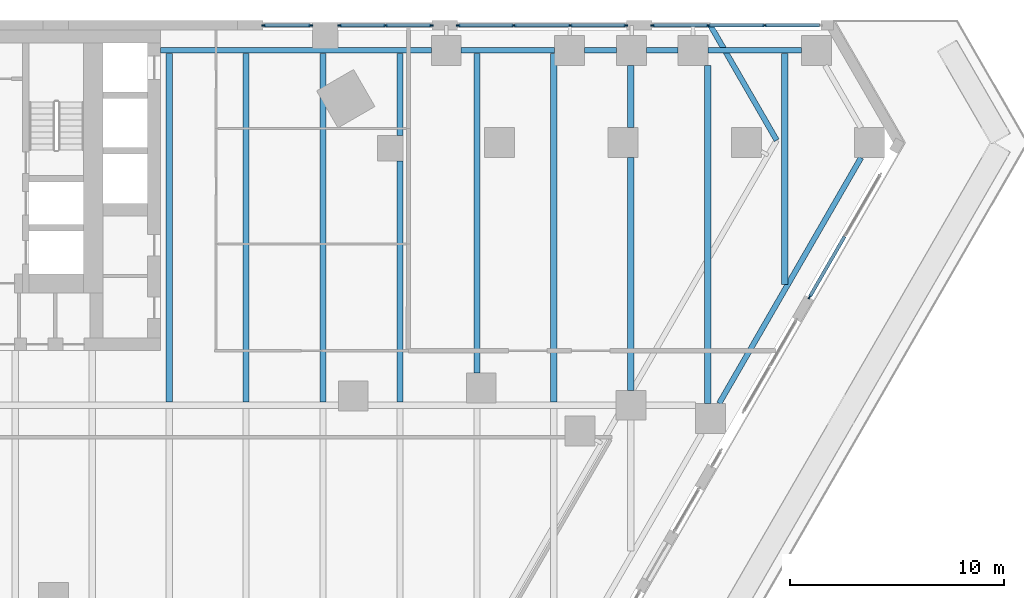
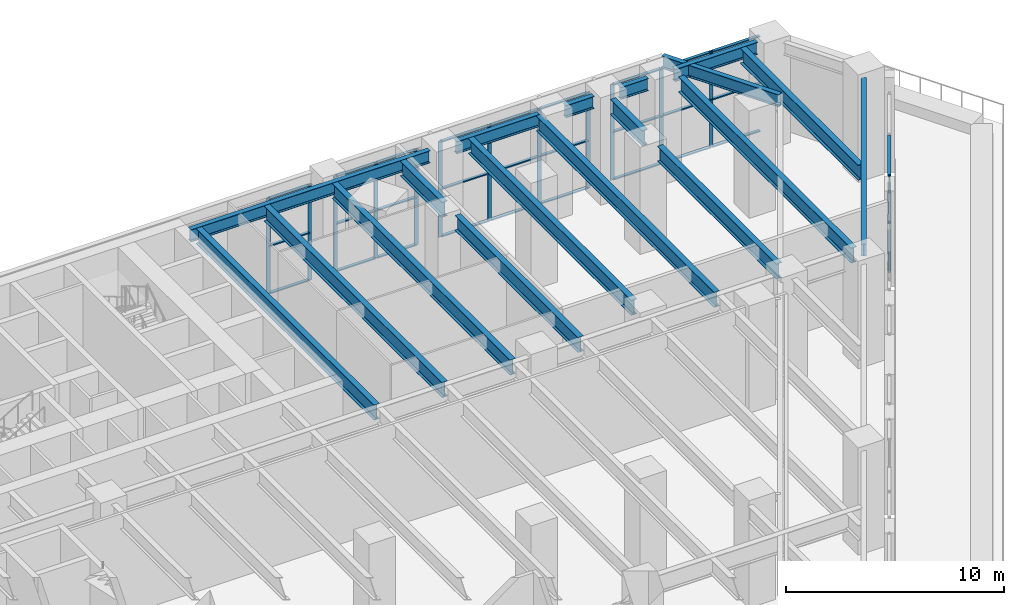
# One storey, part 17 of 40: 43 members, 18 beams, 5 elements without a shape of their own.
"""IFC4 building model written with IfcOpenShell, lengths in metres."""

from ifc_helpers import new_model, si_unit, direction, frame, origin, origin_2d, place, context, subcontext, project, spatial, rectangle, i_section, extrude, material, material_profile, profile_set, type_object, element, aggregate, save


model = new_model("IFC4")

# Units and contexts
model_context = context("Model", 3, precision=1e-05, world=origin(), true_north=direction((0.0, 1.0)))
body_context = subcontext(model_context, "Body", "Model", "MODEL_VIEW")
ifc_project = project(units=[si_unit("LENGTHUNIT", "METRE"), si_unit("AREAUNIT", "SQUARE_METRE"), si_unit("VOLUMEUNIT", "CUBIC_METRE"), si_unit("PLANEANGLEUNIT", "RADIAN"), si_unit("MASSUNIT", "GRAM", prefix="KILO")], contexts=[model_context])

# Site, building, storey
site_placement = place(None, origin())
site = spatial("IfcSite", under=ifc_project, at=site_placement, CompositionType="ELEMENT")
building_placement = place(site_placement, origin())
building = spatial("IfcBuilding", under=site, at=building_placement, Name="Aloe Facet Convention Tower", CompositionType="ELEMENT")
storey_placement = place(building_placement, frame((0.0, 0.0, 13.5)))
storey = spatial("IfcBuildingStorey", under=building, at=storey_placement, Name="L02", CompositionType="ELEMENT", Elevation=13.5)

# Beam
ifc_material_1 = material(Name="Steel S355", Category="steel")
ifc_material_profile_1 = material_profile(ifc_material_1, i_section(OverallWidth=0.25439453125, OverallDepth=0.6875, WebThickness=0.01318359375, FlangeThickness=0.02099609375, FilletRadius=0.01513671875, at=origin_2d()), Name="UB 686x254x152")
ifc_profile_set_1 = profile_set([ifc_material_profile_1], Name="Steel S355")
beam_type_1 = type_object("IfcBeamType", Name="EV-EB-UB686x254x152", PredefinedType="BEAM", material=ifc_profile_set_1)
beam_1_placement = place(storey_placement, frame((122.82568359375, 129.396728515625, 5.40625), z_axis=(-0.500016243463, 0.866016025414, 0.0), x_axis=(-0.866016025414, -0.500016243463, 0.0)))
element("IfcBeam", 1, at=beam_1_placement, inside=storey, type_object=beam_type_1, Name="EB-L03-C", PredefinedType="BEAM", context=body_context, shape_type="SweptSolid", body=[
    extrude(i_section(OverallWidth=0.25439453125, OverallDepth=0.6875, WebThickness=0.01318359375, FlangeThickness=0.02099609375, FilletRadius=0.01513671875, at=origin_2d()), origin(), (0.0, 0.0, 1.0), 6.210205078125),
])

# Curtain wall, members
ifc_material_2 = material(Name="Aluminium, anodised", Category="aluminium")
curtain_wall_type = type_object("IfcCurtainWallType", Name="EV-CW-HALL", PredefinedType="USERDEFINED", material=ifc_material_2)
curtain_wall_1_placement = place(storey_placement, origin())
curtain_wall_1 = element("IfcCurtainWall", 2, at=curtain_wall_1_placement, inside=storey, type_object=curtain_wall_type, Name="CW-L02-N02", ObjectType="UNITISED HALL GLAZING", PredefinedType="USERDEFINED")
ifc_material_3 = material(Name="Aluminium, anodised", Category="aluminium")
ifc_material_profile_2 = material_profile(ifc_material_3, rectangle(XDim=0.06494140625, YDim=0.199951171875, at=origin_2d()), Name="AL 65x200")
ifc_profile_set_2 = profile_set([ifc_material_profile_2], Name="Aluminium, anodised")
member_type_1 = type_object("IfcMemberType", Name="EV-MULL-HALL", PredefinedType="MULLION", material=ifc_profile_set_2)
member_1_placement = place(storey_placement, frame((122.260986328125, 134.77490234375, -0.300048828125), z_axis=(0.0, 0.0, 1.0), x_axis=(0.0, -1.0, 0.0)))
member_1 = element("IfcMember", 3, at=member_1_placement, type_object=member_type_1, Name="CW-L02-N02 mullion 2", PredefinedType="MULLION", context=body_context, shape_type="SweptSolid", body=[
    extrude(rectangle(XDim=0.06494140625, YDim=0.199951171875, at=origin_2d()), origin(), (0.0, 0.0, 1.0), 5.362548828125),
])
member_2_placement = place(storey_placement, frame((119.628173828125, 134.77490234375, -0.300048828125), z_axis=(0.0, 0.0, 1.0), x_axis=(0.0, -1.0, 0.0)))
member_2 = element("IfcMember", 4, at=member_2_placement, type_object=member_type_1, Name="CW-L02-N02 mullion 3", PredefinedType="MULLION", context=body_context, shape_type="SweptSolid", body=[
    extrude(rectangle(XDim=0.06494140625, YDim=0.199951171875, at=origin_2d()), origin(), (0.0, 0.0, 1.0), 5.362548828125),
])
member_3_placement = place(storey_placement, frame((117.027587890625, 134.77490234375, -0.300048828125), z_axis=(0.0, 0.0, 1.0), x_axis=(0.0, -1.0, 0.0)))
member_3 = element("IfcMember", 5, at=member_3_placement, type_object=member_type_1, Name="CW-L02-N02 mullion 4", PredefinedType="MULLION", context=body_context, shape_type="SweptSolid", body=[
    extrude(rectangle(XDim=0.06494140625, YDim=0.199951171875, at=origin_2d()), origin(), (0.0, 0.0, 1.0), 5.362548828125),
])

curtain_wall_2_placement = place(storey_placement, origin())
curtain_wall_2 = element("IfcCurtainWall", 6, at=curtain_wall_2_placement, inside=storey, type_object=curtain_wall_type, Name="CW-L02-N04", ObjectType="UNITISED HALL GLAZING", PredefinedType="USERDEFINED")
member_4_placement = place(storey_placement, frame((115.7626953125, 134.77490234375, -0.300048828125), z_axis=(0.0, 0.0, 1.0), x_axis=(0.0, -1.0, 0.0)))
member_4 = element("IfcMember", 7, at=member_4_placement, type_object=member_type_1, Name="CW-L02-N04 mullion 1", PredefinedType="MULLION", context=body_context, shape_type="SweptSolid", body=[
    extrude(rectangle(XDim=0.06494140625, YDim=0.199951171875, at=origin_2d()), origin(), (0.0, 0.0, 1.0), 5.362548828125),
])
member_5_placement = place(storey_placement, frame((113.162353515625, 134.77490234375, -0.300048828125), z_axis=(0.0, 0.0, 1.0), x_axis=(0.0, -1.0, 0.0)))
member_5 = element("IfcMember", 8, at=member_5_placement, type_object=member_type_1, Name="CW-L02-N04 mullion 2", PredefinedType="MULLION", context=body_context, shape_type="SweptSolid", body=[
    extrude(rectangle(XDim=0.06494140625, YDim=0.199951171875, at=origin_2d()), origin(), (0.0, 0.0, 1.0), 5.362548828125),
])
member_6_placement = place(storey_placement, frame((110.529296875, 134.77490234375, -0.300048828125), z_axis=(0.0, 0.0, 1.0), x_axis=(0.0, -1.0, 0.0)))
member_6 = element("IfcMember", 9, at=member_6_placement, type_object=member_type_1, Name="CW-L02-N04 mullion 3", PredefinedType="MULLION", context=body_context, shape_type="SweptSolid", body=[
    extrude(rectangle(XDim=0.06494140625, YDim=0.199951171875, at=origin_2d()), origin(), (0.0, 0.0, 1.0), 5.362548828125),
])
member_7_placement = place(storey_placement, frame((107.928955078125, 134.77490234375, -0.300048828125), z_axis=(0.0, 0.0, 1.0), x_axis=(0.0, -1.0, 0.0)))
member_7 = element("IfcMember", 10, at=member_7_placement, type_object=member_type_1, Name="CW-L02-N04 mullion 4", PredefinedType="MULLION", context=body_context, shape_type="SweptSolid", body=[
    extrude(rectangle(XDim=0.06494140625, YDim=0.199951171875, at=origin_2d()), origin(), (0.0, 0.0, 1.0), 5.362548828125),
])

curtain_wall_3_placement = place(storey_placement, origin())
curtain_wall_3 = element("IfcCurtainWall", 11, at=curtain_wall_3_placement, inside=storey, type_object=curtain_wall_type, Name="CW-L02-N06-1", ObjectType="UNITISED HALL GLAZING", PredefinedType="USERDEFINED")
member_8_placement = place(storey_placement, frame((106.663818359375, 134.77490234375, -0.300048828125), z_axis=(0.0, 0.0, 1.0), x_axis=(0.0, -1.0, 0.0)))
member_8 = element("IfcMember", 12, at=member_8_placement, type_object=member_type_1, Name="CW-L02-N06-1 mullion 1", PredefinedType="MULLION", context=body_context, shape_type="SweptSolid", body=[
    extrude(rectangle(XDim=0.06494140625, YDim=0.199951171875, at=origin_2d()), origin(), (0.0, 0.0, 1.0), 5.362548828125),
])
member_9_placement = place(storey_placement, frame((104.523193359375, 134.77490234375, -0.300048828125), z_axis=(0.0, 0.0, 1.0), x_axis=(0.0, -1.0, 0.0)))
member_9 = element("IfcMember", 13, at=member_9_placement, type_object=member_type_1, Name="CW-L02-N06-1 mullion 2", PredefinedType="MULLION", context=body_context, shape_type="SweptSolid", body=[
    extrude(rectangle(XDim=0.06494140625, YDim=0.199951171875, at=origin_2d()), origin(), (0.0, 0.0, 1.0), 5.362548828125),
])
member_10_placement = place(storey_placement, frame((102.382568359375, 134.77490234375, -0.300048828125), z_axis=(0.0, 0.0, 1.0), x_axis=(0.0, -1.0, 0.0)))
member_10 = element("IfcMember", 14, at=member_10_placement, type_object=member_type_1, Name="CW-L02-N06-1 mullion 3", PredefinedType="MULLION", context=body_context, shape_type="SweptSolid", body=[
    extrude(rectangle(XDim=0.06494140625, YDim=0.199951171875, at=origin_2d()), origin(), (0.0, 0.0, 1.0), 5.362548828125),
])

curtain_wall_4_placement = place(storey_placement, origin())
curtain_wall_4 = element("IfcCurtainWall", 15, at=curtain_wall_4_placement, inside=storey, type_object=curtain_wall_type, Name="CW-L02-N06-2", ObjectType="UNITISED HALL GLAZING", PredefinedType="USERDEFINED")
member_11_placement = place(storey_placement, frame((101.017578125, 134.77490234375, -0.300048828125), z_axis=(0.0, 0.0, 1.0), x_axis=(0.0, -1.0, 0.0)))
member_11 = element("IfcMember", 16, at=member_11_placement, type_object=member_type_1, Name="CW-L02-N06-2 mullion 1", PredefinedType="MULLION", context=body_context, shape_type="SweptSolid", body=[
    extrude(rectangle(XDim=0.06494140625, YDim=0.199951171875, at=origin_2d()), origin(), (0.0, 0.0, 1.0), 5.362548828125),
])
member_12_placement = place(storey_placement, frame((98.830078125, 134.77490234375, -0.300048828125), z_axis=(0.0, 0.0, 1.0), x_axis=(0.0, -1.0, 0.0)))
member_12 = element("IfcMember", 17, at=member_12_placement, type_object=member_type_1, Name="CW-L02-N06-2 mullion 2", PredefinedType="MULLION", context=body_context, shape_type="SweptSolid", body=[
    extrude(rectangle(XDim=0.06494140625, YDim=0.199951171875, at=origin_2d()), origin(), (0.0, 0.0, 1.0), 5.362548828125),
])

# Curtain wall, member
curtain_wall_5_placement = place(storey_placement, origin())
curtain_wall_5 = element("IfcCurtainWall", 18, at=curtain_wall_5_placement, inside=storey, type_object=curtain_wall_type, Name="CW-L02-E20", ObjectType="UNITISED HALL GLAZING", PredefinedType="USERDEFINED")
member_13_placement = place(storey_placement, frame((124.365966796875, 122.064697265625, -0.300048828125), z_axis=(0.0, 0.0, 1.0), x_axis=(-0.866025403828, 0.499999999924, 0.0)))
member_13 = element("IfcMember", 19, at=member_13_placement, type_object=member_type_1, Name="CW-L02-E20 mullion 1", PredefinedType="MULLION", context=body_context, shape_type="SweptSolid", body=[
    extrude(rectangle(XDim=0.06494140625, YDim=0.199951171875, at=origin_2d()), origin(), (0.0, 0.0, 1.0), 5.362548828125),
])

# Member
ifc_material_4 = material(Name="Aluminium, anodised", Category="aluminium")
ifc_material_profile_3 = material_profile(ifc_material_4, rectangle(XDim=0.159912109375, YDim=0.06494140625, at=origin_2d()), Name="AL 160x65")
ifc_profile_set_3 = profile_set([ifc_material_profile_3], Name="Aluminium, anodised")
member_type_2 = type_object("IfcMemberType", Name="EV-TRAN-HALL", PredefinedType="USERDEFINED", material=ifc_profile_set_3)
member_14_placement = place(storey_placement, frame((124.8291015625, 134.77490234375, -0.267578125), z_axis=(-1.0, 0.0, 0.0), x_axis=(0.0, -1.0, 0.0)))
member_14 = element("IfcMember", 20, at=member_14_placement, type_object=member_type_2, Name="CW-L02-N02 transom 1.1", ObjectType="TRANSOM", PredefinedType="USERDEFINED", context=body_context, shape_type="SweptSolid", body=[
    extrude(rectangle(XDim=0.159912109375, YDim=0.06494140625, at=origin_2d()), origin(), (0.0, 0.0, 1.0), 2.53564453125),
])

member_15_placement = place(storey_placement, frame((124.8291015625, 134.77490234375, 2.38134765625), z_axis=(-1.0, 0.0, 0.0), x_axis=(0.0, -1.0, 0.0)))
member_15 = element("IfcMember", 21, at=member_15_placement, type_object=member_type_2, Name="CW-L02-N02 transom 1.2", ObjectType="TRANSOM", PredefinedType="USERDEFINED", context=body_context, shape_type="SweptSolid", body=[
    extrude(rectangle(XDim=0.159912109375, YDim=0.06494140625, at=origin_2d()), origin(), (0.0, 0.0, 1.0), 2.53564453125),
])

member_16_placement = place(storey_placement, frame((124.8291015625, 134.77490234375, 5.030029296875), z_axis=(-1.0, 0.0, 0.0), x_axis=(0.0, -1.0, 0.0)))
member_16 = element("IfcMember", 22, at=member_16_placement, type_object=member_type_2, Name="CW-L02-N02 transom 1.3", ObjectType="TRANSOM", PredefinedType="USERDEFINED", context=body_context, shape_type="SweptSolid", body=[
    extrude(rectangle(XDim=0.159912109375, YDim=0.06494140625, at=origin_2d()), origin(), (0.0, 0.0, 1.0), 2.53564453125),
])

member_17_placement = place(storey_placement, frame((122.228515625, 134.77490234375, -0.267578125), z_axis=(-1.0, 0.0, 0.0), x_axis=(0.0, -1.0, 0.0)))
member_17 = element("IfcMember", 23, at=member_17_placement, type_object=member_type_2, Name="CW-L02-N02 transom 2.1", ObjectType="TRANSOM", PredefinedType="USERDEFINED", context=body_context, shape_type="SweptSolid", body=[
    extrude(rectangle(XDim=0.159912109375, YDim=0.06494140625, at=origin_2d()), origin(), (0.0, 0.0, 1.0), 2.56787109375),
])

member_18_placement = place(storey_placement, frame((122.228515625, 134.77490234375, 2.38134765625), z_axis=(-1.0, 0.0, 0.0), x_axis=(0.0, -1.0, 0.0)))
member_18 = element("IfcMember", 24, at=member_18_placement, type_object=member_type_2, Name="CW-L02-N02 transom 2.2", ObjectType="TRANSOM", PredefinedType="USERDEFINED", context=body_context, shape_type="SweptSolid", body=[
    extrude(rectangle(XDim=0.159912109375, YDim=0.06494140625, at=origin_2d()), origin(), (0.0, 0.0, 1.0), 2.56787109375),
])

member_19_placement = place(storey_placement, frame((122.228515625, 134.77490234375, 5.030029296875), z_axis=(-1.0, 0.0, 0.0), x_axis=(0.0, -1.0, 0.0)))
member_19 = element("IfcMember", 25, at=member_19_placement, type_object=member_type_2, Name="CW-L02-N02 transom 2.3", ObjectType="TRANSOM", PredefinedType="USERDEFINED", context=body_context, shape_type="SweptSolid", body=[
    extrude(rectangle(XDim=0.159912109375, YDim=0.06494140625, at=origin_2d()), origin(), (0.0, 0.0, 1.0), 2.56787109375),
])

member_20_placement = place(storey_placement, frame((119.595703125, 134.77490234375, -0.267578125), z_axis=(-1.0, 0.0, 0.0), x_axis=(0.0, -1.0, 0.0)))
member_20 = element("IfcMember", 26, at=member_20_placement, type_object=member_type_2, Name="CW-L02-N02 transom 3.1", ObjectType="TRANSOM", PredefinedType="USERDEFINED", context=body_context, shape_type="SweptSolid", body=[
    extrude(rectangle(XDim=0.159912109375, YDim=0.06494140625, at=origin_2d()), origin(), (0.0, 0.0, 1.0), 2.535400390625),
])

member_21_placement = place(storey_placement, frame((119.595703125, 134.77490234375, 2.38134765625), z_axis=(-1.0, 0.0, 0.0), x_axis=(0.0, -1.0, 0.0)))
member_21 = element("IfcMember", 27, at=member_21_placement, type_object=member_type_2, Name="CW-L02-N02 transom 3.2", ObjectType="TRANSOM", PredefinedType="USERDEFINED", context=body_context, shape_type="SweptSolid", body=[
    extrude(rectangle(XDim=0.159912109375, YDim=0.06494140625, at=origin_2d()), origin(), (0.0, 0.0, 1.0), 2.535400390625),
])

member_22_placement = place(storey_placement, frame((119.595703125, 134.77490234375, 5.030029296875), z_axis=(-1.0, 0.0, 0.0), x_axis=(0.0, -1.0, 0.0)))
member_22 = element("IfcMember", 28, at=member_22_placement, type_object=member_type_2, Name="CW-L02-N02 transom 3.3", ObjectType="TRANSOM", PredefinedType="USERDEFINED", context=body_context, shape_type="SweptSolid", body=[
    extrude(rectangle(XDim=0.159912109375, YDim=0.06494140625, at=origin_2d()), origin(), (0.0, 0.0, 1.0), 2.535400390625),
])

aggregate(curtain_wall_1, [member_1, member_2, member_3, member_14, member_15, member_16, member_17, member_18, member_19, member_20, member_21, member_22])

member_23_placement = place(storey_placement, frame((115.730224609375, 134.77490234375, -0.267578125), z_axis=(-1.0, 0.0, 0.0), x_axis=(0.0, -1.0, 0.0)))
member_23 = element("IfcMember", 29, at=member_23_placement, type_object=member_type_2, Name="CW-L02-N04 transom 1.1", ObjectType="TRANSOM", PredefinedType="USERDEFINED", context=body_context, shape_type="SweptSolid", body=[
    extrude(rectangle(XDim=0.159912109375, YDim=0.06494140625, at=origin_2d()), origin(), (0.0, 0.0, 1.0), 2.535400390625),
])

member_24_placement = place(storey_placement, frame((115.730224609375, 134.77490234375, 2.38134765625), z_axis=(-1.0, 0.0, 0.0), x_axis=(0.0, -1.0, 0.0)))
member_24 = element("IfcMember", 30, at=member_24_placement, type_object=member_type_2, Name="CW-L02-N04 transom 1.2", ObjectType="TRANSOM", PredefinedType="USERDEFINED", context=body_context, shape_type="SweptSolid", body=[
    extrude(rectangle(XDim=0.159912109375, YDim=0.06494140625, at=origin_2d()), origin(), (0.0, 0.0, 1.0), 2.535400390625),
])

member_25_placement = place(storey_placement, frame((115.730224609375, 134.77490234375, 5.030029296875), z_axis=(-1.0, 0.0, 0.0), x_axis=(0.0, -1.0, 0.0)))
member_25 = element("IfcMember", 31, at=member_25_placement, type_object=member_type_2, Name="CW-L02-N04 transom 1.3", ObjectType="TRANSOM", PredefinedType="USERDEFINED", context=body_context, shape_type="SweptSolid", body=[
    extrude(rectangle(XDim=0.159912109375, YDim=0.06494140625, at=origin_2d()), origin(), (0.0, 0.0, 1.0), 2.535400390625),
])

member_26_placement = place(storey_placement, frame((113.1298828125, 134.77490234375, -0.267578125), z_axis=(-1.0, 0.0, 0.0), x_axis=(0.0, -1.0, 0.0)))
member_26 = element("IfcMember", 32, at=member_26_placement, type_object=member_type_2, Name="CW-L02-N04 transom 2.1", ObjectType="TRANSOM", PredefinedType="USERDEFINED", context=body_context, shape_type="SweptSolid", body=[
    extrude(rectangle(XDim=0.159912109375, YDim=0.06494140625, at=origin_2d()), origin(), (0.0, 0.0, 1.0), 2.568115234375),
])

member_27_placement = place(storey_placement, frame((113.1298828125, 134.77490234375, 2.38134765625), z_axis=(-1.0, 0.0, 0.0), x_axis=(0.0, -1.0, 0.0)))
member_27 = element("IfcMember", 33, at=member_27_placement, type_object=member_type_2, Name="CW-L02-N04 transom 2.2", ObjectType="TRANSOM", PredefinedType="USERDEFINED", context=body_context, shape_type="SweptSolid", body=[
    extrude(rectangle(XDim=0.159912109375, YDim=0.06494140625, at=origin_2d()), origin(), (0.0, 0.0, 1.0), 2.568115234375),
])

member_28_placement = place(storey_placement, frame((113.1298828125, 134.77490234375, 5.030029296875), z_axis=(-1.0, 0.0, 0.0), x_axis=(0.0, -1.0, 0.0)))
member_28 = element("IfcMember", 34, at=member_28_placement, type_object=member_type_2, Name="CW-L02-N04 transom 2.3", ObjectType="TRANSOM", PredefinedType="USERDEFINED", context=body_context, shape_type="SweptSolid", body=[
    extrude(rectangle(XDim=0.159912109375, YDim=0.06494140625, at=origin_2d()), origin(), (0.0, 0.0, 1.0), 2.568115234375),
])

member_29_placement = place(storey_placement, frame((110.496826171875, 134.77490234375, -0.267578125), z_axis=(-1.0, 0.0, 0.0), x_axis=(0.0, -1.0, 0.0)))
member_29 = element("IfcMember", 35, at=member_29_placement, type_object=member_type_2, Name="CW-L02-N04 transom 3.1", ObjectType="TRANSOM", PredefinedType="USERDEFINED", context=body_context, shape_type="SweptSolid", body=[
    extrude(rectangle(XDim=0.159912109375, YDim=0.06494140625, at=origin_2d()), origin(), (0.0, 0.0, 1.0), 2.535400390625),
])

member_30_placement = place(storey_placement, frame((110.496826171875, 134.77490234375, 2.38134765625), z_axis=(-1.0, 0.0, 0.0), x_axis=(0.0, -1.0, 0.0)))
member_30 = element("IfcMember", 36, at=member_30_placement, type_object=member_type_2, Name="CW-L02-N04 transom 3.2", ObjectType="TRANSOM", PredefinedType="USERDEFINED", context=body_context, shape_type="SweptSolid", body=[
    extrude(rectangle(XDim=0.159912109375, YDim=0.06494140625, at=origin_2d()), origin(), (0.0, 0.0, 1.0), 2.535400390625),
])

member_31_placement = place(storey_placement, frame((110.496826171875, 134.77490234375, 5.030029296875), z_axis=(-1.0, 0.0, 0.0), x_axis=(0.0, -1.0, 0.0)))
member_31 = element("IfcMember", 37, at=member_31_placement, type_object=member_type_2, Name="CW-L02-N04 transom 3.3", ObjectType="TRANSOM", PredefinedType="USERDEFINED", context=body_context, shape_type="SweptSolid", body=[
    extrude(rectangle(XDim=0.159912109375, YDim=0.06494140625, at=origin_2d()), origin(), (0.0, 0.0, 1.0), 2.535400390625),
])

aggregate(curtain_wall_2, [member_4, member_5, member_6, member_7, member_23, member_24, member_25, member_26, member_27, member_28, member_29, member_30, member_31])

member_32_placement = place(storey_placement, frame((106.63134765625, 134.77490234375, -0.267578125), z_axis=(-1.0, 0.0, 0.0), x_axis=(0.0, -1.0, 0.0)))
member_32 = element("IfcMember", 38, at=member_32_placement, type_object=member_type_2, Name="CW-L02-N06-1 transom 1.1", ObjectType="TRANSOM", PredefinedType="USERDEFINED", context=body_context, shape_type="SweptSolid", body=[
    extrude(rectangle(XDim=0.159912109375, YDim=0.06494140625, at=origin_2d()), origin(), (0.0, 0.0, 1.0), 2.07568359375),
])

member_33_placement = place(storey_placement, frame((106.63134765625, 134.77490234375, 2.38134765625), z_axis=(-1.0, 0.0, 0.0), x_axis=(0.0, -1.0, 0.0)))
member_33 = element("IfcMember", 39, at=member_33_placement, type_object=member_type_2, Name="CW-L02-N06-1 transom 1.2", ObjectType="TRANSOM", PredefinedType="USERDEFINED", context=body_context, shape_type="SweptSolid", body=[
    extrude(rectangle(XDim=0.159912109375, YDim=0.06494140625, at=origin_2d()), origin(), (0.0, 0.0, 1.0), 2.07568359375),
])

member_34_placement = place(storey_placement, frame((106.63134765625, 134.77490234375, 5.030029296875), z_axis=(-1.0, 0.0, 0.0), x_axis=(0.0, -1.0, 0.0)))
member_34 = element("IfcMember", 40, at=member_34_placement, type_object=member_type_2, Name="CW-L02-N06-1 transom 1.3", ObjectType="TRANSOM", PredefinedType="USERDEFINED", context=body_context, shape_type="SweptSolid", body=[
    extrude(rectangle(XDim=0.159912109375, YDim=0.06494140625, at=origin_2d()), origin(), (0.0, 0.0, 1.0), 2.07568359375),
])

member_35_placement = place(storey_placement, frame((104.49072265625, 134.77490234375, -0.267578125), z_axis=(-1.0, 0.0, 0.0), x_axis=(0.0, -1.0, 0.0)))
member_35 = element("IfcMember", 41, at=member_35_placement, type_object=member_type_2, Name="CW-L02-N06-1 transom 2.1", ObjectType="TRANSOM", PredefinedType="USERDEFINED", context=body_context, shape_type="SweptSolid", body=[
    extrude(rectangle(XDim=0.159912109375, YDim=0.06494140625, at=origin_2d()), origin(), (0.0, 0.0, 1.0), 2.07568359375),
])

member_36_placement = place(storey_placement, frame((104.49072265625, 134.77490234375, 2.38134765625), z_axis=(-1.0, 0.0, 0.0), x_axis=(0.0, -1.0, 0.0)))
member_36 = element("IfcMember", 42, at=member_36_placement, type_object=member_type_2, Name="CW-L02-N06-1 transom 2.2", ObjectType="TRANSOM", PredefinedType="USERDEFINED", context=body_context, shape_type="SweptSolid", body=[
    extrude(rectangle(XDim=0.159912109375, YDim=0.06494140625, at=origin_2d()), origin(), (0.0, 0.0, 1.0), 2.07568359375),
])

member_37_placement = place(storey_placement, frame((104.49072265625, 134.77490234375, 5.030029296875), z_axis=(-1.0, 0.0, 0.0), x_axis=(0.0, -1.0, 0.0)))
member_37 = element("IfcMember", 43, at=member_37_placement, type_object=member_type_2, Name="CW-L02-N06-1 transom 2.3", ObjectType="TRANSOM", PredefinedType="USERDEFINED", context=body_context, shape_type="SweptSolid", body=[
    extrude(rectangle(XDim=0.159912109375, YDim=0.06494140625, at=origin_2d()), origin(), (0.0, 0.0, 1.0), 2.07568359375),
])

aggregate(curtain_wall_3, [member_8, member_9, member_10, member_32, member_33, member_34, member_35, member_36, member_37])

member_38_placement = place(storey_placement, frame((100.985107421875, 134.77490234375, -0.267578125), z_axis=(-1.0, 0.0, 0.0), x_axis=(0.0, -1.0, 0.0)))
member_38 = element("IfcMember", 44, at=member_38_placement, type_object=member_type_2, Name="CW-L02-N06-2 transom 1.1", ObjectType="TRANSOM", PredefinedType="USERDEFINED", context=body_context, shape_type="SweptSolid", body=[
    extrude(rectangle(XDim=0.159912109375, YDim=0.06494140625, at=origin_2d()), origin(), (0.0, 0.0, 1.0), 2.12255859375),
])

member_39_placement = place(storey_placement, frame((100.985107421875, 134.77490234375, 2.38134765625), z_axis=(-1.0, 0.0, 0.0), x_axis=(0.0, -1.0, 0.0)))
member_39 = element("IfcMember", 45, at=member_39_placement, type_object=member_type_2, Name="CW-L02-N06-2 transom 1.2", ObjectType="TRANSOM", PredefinedType="USERDEFINED", context=body_context, shape_type="SweptSolid", body=[
    extrude(rectangle(XDim=0.159912109375, YDim=0.06494140625, at=origin_2d()), origin(), (0.0, 0.0, 1.0), 2.12255859375),
])

member_40_placement = place(storey_placement, frame((100.985107421875, 134.77490234375, 5.030029296875), z_axis=(-1.0, 0.0, 0.0), x_axis=(0.0, -1.0, 0.0)))
member_40 = element("IfcMember", 46, at=member_40_placement, type_object=member_type_2, Name="CW-L02-N06-2 transom 1.3", ObjectType="TRANSOM", PredefinedType="USERDEFINED", context=body_context, shape_type="SweptSolid", body=[
    extrude(rectangle(XDim=0.159912109375, YDim=0.06494140625, at=origin_2d()), origin(), (0.0, 0.0, 1.0), 2.12255859375),
])

aggregate(curtain_wall_4, [member_11, member_12, member_38, member_39, member_40])

member_41_placement = place(storey_placement, frame((124.38232421875, 122.0927734375, -0.267578125), z_axis=(0.499985905884, 0.866033540873, 0.0), x_axis=(-0.866033540873, 0.499985905884, 0.0)))
member_41 = element("IfcMember", 47, at=member_41_placement, type_object=member_type_2, Name="CW-L02-E20 transom 1.1", ObjectType="TRANSOM", PredefinedType="USERDEFINED", context=body_context, shape_type="SweptSolid", body=[
    extrude(rectangle(XDim=0.159912109375, YDim=0.06494140625, at=origin_2d()), origin(), (0.0, 0.0, 1.0), 3.2353515625),
])

member_42_placement = place(storey_placement, frame((124.38232421875, 122.0927734375, 2.38134765625), z_axis=(0.499985905884, 0.866033540873, 0.0), x_axis=(-0.866033540873, 0.499985905884, 0.0)))
member_42 = element("IfcMember", 48, at=member_42_placement, type_object=member_type_2, Name="CW-L02-E20 transom 1.2", ObjectType="TRANSOM", PredefinedType="USERDEFINED", context=body_context, shape_type="SweptSolid", body=[
    extrude(rectangle(XDim=0.159912109375, YDim=0.06494140625, at=origin_2d()), origin(), (0.0, 0.0, 1.0), 3.2353515625),
])

member_43_placement = place(storey_placement, frame((124.38232421875, 122.0927734375, 5.030029296875), z_axis=(0.499985905884, 0.866033540873, 0.0), x_axis=(-0.866033540873, 0.499985905884, 0.0)))
member_43 = element("IfcMember", 49, at=member_43_placement, type_object=member_type_2, Name="CW-L02-E20 transom 1.3", ObjectType="TRANSOM", PredefinedType="USERDEFINED", context=body_context, shape_type="SweptSolid", body=[
    extrude(rectangle(XDim=0.159912109375, YDim=0.06494140625, at=origin_2d()), origin(), (0.0, 0.0, 1.0), 3.2353515625),
])

aggregate(curtain_wall_5, [member_13, member_41, member_42, member_43])

# Beams
ifc_material_5 = material(Name="Steel S355", Category="steel")
ifc_material_profile_4 = material_profile(ifc_material_5, i_section(OverallWidth=0.25439453125, OverallDepth=0.6875, WebThickness=0.01318359375, FlangeThickness=0.02099609375, FilletRadius=0.01513671875, at=origin_2d()), Name="UB 686x254x152")
ifc_profile_set_4 = profile_set([ifc_material_profile_4], Name="Steel S355")
beam_type_2 = type_object("IfcBeamType", Name="SF-B-UB686x254x152", PredefinedType="BEAM", material=ifc_profile_set_4)
beam_2_placement = place(storey_placement, frame((94.0, 133.60009765625, 5.40625), z_axis=(1.0, 0.0, 0.0), x_axis=(0.0, 1.0, 0.0)))
element("IfcBeam", 50, at=beam_2_placement, inside=storey, type_object=beam_type_2, Name="Floor beam FB-L03-015", PredefinedType="BEAM", context=body_context, shape_type="SweptSolid", body=[
    extrude(i_section(OverallWidth=0.25439453125, OverallDepth=0.6875, WebThickness=0.01318359375, FlangeThickness=0.02099609375, FilletRadius=0.01513671875, at=origin_2d()), origin(), (0.0, 0.0, 1.0), 12.6650390625),
])
beam_3_placement = place(storey_placement, frame((108.06494140625, 133.60009765625, 5.40625), z_axis=(1.0, 0.0, 0.0), x_axis=(0.0, 1.0, 0.0)))
element("IfcBeam", 51, at=beam_3_placement, inside=storey, type_object=beam_type_2, Name="Floor beam FB-L03-018", PredefinedType="BEAM", context=body_context, shape_type="SweptSolid", body=[
    extrude(i_section(OverallWidth=0.25439453125, OverallDepth=0.6875, WebThickness=0.01318359375, FlangeThickness=0.02099609375, FilletRadius=0.01513671875, at=origin_2d()), origin(), (0.0, 0.0, 1.0), 4.3740234375),
])
beam_4_placement = place(storey_placement, frame((113.839111328125, 133.60009765625, 5.40625), z_axis=(1.0, 0.0, 0.0), x_axis=(0.0, 1.0, 0.0)))
element("IfcBeam", 52, at=beam_4_placement, inside=storey, type_object=beam_type_2, Name="Floor beam FB-L03-020", PredefinedType="BEAM", context=body_context, shape_type="SweptSolid", body=[
    extrude(i_section(OverallWidth=0.25439453125, OverallDepth=0.6875, WebThickness=0.01318359375, FlangeThickness=0.02099609375, FilletRadius=0.01513671875, at=origin_2d()), origin(), (0.0, 0.0, 1.0), 1.5029296875),
])
beam_5_placement = place(storey_placement, frame((116.741943359375, 133.60009765625, 5.40625), z_axis=(1.0, 0.0, 0.0), x_axis=(0.0, 1.0, 0.0)))
element("IfcBeam", 53, at=beam_5_placement, inside=storey, type_object=beam_type_2, Name="Floor beam FB-L03-021", PredefinedType="BEAM", context=body_context, shape_type="SweptSolid", body=[
    extrude(i_section(OverallWidth=0.25439453125, OverallDepth=0.6875, WebThickness=0.01318359375, FlangeThickness=0.02099609375, FilletRadius=0.01513671875, at=origin_2d()), origin(), (0.0, 0.0, 1.0), 1.469970703125),
])
beam_6_placement = place(storey_placement, frame((119.612060546875, 133.60009765625, 5.40625), z_axis=(1.0, 0.0, 0.0), x_axis=(0.0, 1.0, 0.0)))
element("IfcBeam", 54, at=beam_6_placement, inside=storey, type_object=beam_type_2, Name="Floor beam FB-L03-023", PredefinedType="BEAM", context=body_context, shape_type="SweptSolid", body=[
    extrude(i_section(OverallWidth=0.25439453125, OverallDepth=0.6875, WebThickness=0.01318359375, FlangeThickness=0.02099609375, FilletRadius=0.01513671875, at=origin_2d()), origin(), (0.0, 0.0, 1.0), 4.3740234375),
])
beam_7_placement = place(storey_placement, frame((126.773193359375, 128.583984375, 5.40625), z_axis=(-0.499997273959, -0.866026977659, 0.0), x_axis=(0.866026977659, -0.499997273959, 0.0)))
element("IfcBeam", 55, at=beam_7_placement, inside=storey, type_object=beam_type_2, Name="Floor beam FB-L03-025", PredefinedType="BEAM", context=body_context, shape_type="SweptSolid", body=[
    extrude(i_section(OverallWidth=0.25439453125, OverallDepth=0.6875, WebThickness=0.01318359375, FlangeThickness=0.02099609375, FilletRadius=0.01513671875, at=origin_2d()), origin(), (0.0, 0.0, 1.0), 13.27783203125),
])
ifc_material_6 = material(Name="Steel S355", Category="steel")
ifc_material_profile_5 = material_profile(ifc_material_6, i_section(OverallWidth=0.293701171875, OverallDepth=0.850830078125, WebThickness=0.01611328125, FlangeThickness=0.02685546875, FilletRadius=0.017822265625, at=origin_2d()), Name="UB 838x292x226")
ifc_profile_set_5 = profile_set([ifc_material_profile_5], Name="Steel S355")
beam_type_3 = type_object("IfcBeamType", Name="SF-B-UB838x292x226", PredefinedType="BEAM", material=ifc_profile_set_5)
for number, where, z_axis, x_axis, name in (
    (56, (94.39990234375, 117.152587890625, 5.324462890625), (0.0, 1.0, 0.0), (-1.0, 0.0, 0.0), "Floor beam FB-L03-112"),
    (57, (98.0, 117.152587890625, 5.324462890625), (0.0, 1.0, 0.0), (-1.0, 0.0, 0.0), "Floor beam FB-L03-117"),
    (58, (101.60009765625, 117.152587890625, 5.324462890625), (0.0, 1.0, 0.0), (-1.0, 0.0, 0.0), "Floor beam FB-L03-120"),
):
    element("IfcBeam", number, at=place(storey_placement, frame(where, z_axis=z_axis, x_axis=x_axis)), inside=storey, type_object=beam_type_3, Name=name, PredefinedType="BEAM", context=body_context, shape_type="SweptSolid", body=[
        extrude(i_section(OverallWidth=0.293701171875, OverallDepth=0.850830078125, WebThickness=0.01611328125, FlangeThickness=0.02685546875, FilletRadius=0.017822265625, at=origin_2d()), origin(), (0.0, 0.0, 1.0), 16.31005859375),
    ])
beam_8_placement = place(storey_placement, frame((105.199951171875, 117.152587890625, 5.324462890625), z_axis=(0.0, 1.0, 0.0), x_axis=(-1.0, 0.0, 0.0)))
element("IfcBeam", 59, at=beam_8_placement, inside=storey, type_object=beam_type_3, Name="Floor beam FB-L03-124", PredefinedType="BEAM", context=body_context, shape_type="SweptSolid", body=[
    extrude(i_section(OverallWidth=0.293701171875, OverallDepth=0.850830078125, WebThickness=0.01611328125, FlangeThickness=0.02685546875, FilletRadius=0.017822265625, at=origin_2d()), origin(), (0.0, 0.0, 1.0), 11.275390625),
])
beam_9_placement = place(storey_placement, frame((105.199951171875, 129.6279296875, 5.324462890625), z_axis=(0.0, 1.0, 0.0), x_axis=(-1.0, 0.0, 0.0)))
element("IfcBeam", 60, at=beam_9_placement, inside=storey, type_object=beam_type_3, Name="Floor beam FB-L03-125", PredefinedType="BEAM", context=body_context, shape_type="SweptSolid", body=[
    extrude(i_section(OverallWidth=0.293701171875, OverallDepth=0.850830078125, WebThickness=0.01611328125, FlangeThickness=0.02685546875, FilletRadius=0.017822265625, at=origin_2d()), origin(), (0.0, 0.0, 1.0), 3.834716796875),
])
beam_10_placement = place(storey_placement, frame((108.800048828125, 118.5048828125, 5.324462890625), z_axis=(0.0, 1.0, 0.0), x_axis=(-1.0, 0.0, 0.0)))
element("IfcBeam", 61, at=beam_10_placement, inside=storey, type_object=beam_type_3, Name="Floor beam FB-L03-128", PredefinedType="BEAM", context=body_context, shape_type="SweptSolid", body=[
    extrude(i_section(OverallWidth=0.293701171875, OverallDepth=0.850830078125, WebThickness=0.01611328125, FlangeThickness=0.02685546875, FilletRadius=0.017822265625, at=origin_2d()), origin(), (0.0, 0.0, 1.0), 14.957763671875),
])
beam_11_placement = place(storey_placement, frame((112.39990234375, 117.152587890625, 5.324462890625), z_axis=(0.0, 1.0, 0.0), x_axis=(-1.0, 0.0, 0.0)))
element("IfcBeam", 62, at=beam_11_placement, inside=storey, type_object=beam_type_3, Name="Floor beam FB-L03-130", PredefinedType="BEAM", context=body_context, shape_type="SweptSolid", body=[
    extrude(i_section(OverallWidth=0.293701171875, OverallDepth=0.850830078125, WebThickness=0.01611328125, FlangeThickness=0.02685546875, FilletRadius=0.017822265625, at=origin_2d()), origin(), (0.0, 0.0, 1.0), 16.31005859375),
])
beam_12_placement = place(storey_placement, frame((116.0, 117.699951171875, 5.324462890625), z_axis=(0.0, 1.0, 0.0), x_axis=(-1.0, 0.0, 0.0)))
element("IfcBeam", 63, at=beam_12_placement, inside=storey, type_object=beam_type_3, Name="Floor beam FB-L03-132", PredefinedType="BEAM", context=body_context, shape_type="SweptSolid", body=[
    extrude(i_section(OverallWidth=0.293701171875, OverallDepth=0.850830078125, WebThickness=0.01611328125, FlangeThickness=0.02685546875, FilletRadius=0.017822265625, at=origin_2d()), origin(), (0.0, 0.0, 1.0), 10.884033203125),
])
beam_13_placement = place(storey_placement, frame((116.0, 129.98388671875, 5.324462890625), z_axis=(0.0, 1.0, 0.0), x_axis=(-1.0, 0.0, 0.0)))
element("IfcBeam", 64, at=beam_13_placement, inside=storey, type_object=beam_type_3, Name="Floor beam FB-L03-133", PredefinedType="BEAM", context=body_context, shape_type="SweptSolid", body=[
    extrude(i_section(OverallWidth=0.293701171875, OverallDepth=0.850830078125, WebThickness=0.01611328125, FlangeThickness=0.02685546875, FilletRadius=0.017822265625, at=origin_2d()), origin(), (0.0, 0.0, 1.0), 2.916015625),
])
beam_14_placement = place(storey_placement, frame((119.60009765625, 117.0849609375, 5.324462890625), z_axis=(0.0, 1.0, 0.0), x_axis=(-1.0, 0.0, 0.0)))
element("IfcBeam", 65, at=beam_14_placement, inside=storey, type_object=beam_type_3, Name="Floor beam FB-L03-134", PredefinedType="BEAM", context=body_context, shape_type="SweptSolid", body=[
    extrude(i_section(OverallWidth=0.293701171875, OverallDepth=0.850830078125, WebThickness=0.01611328125, FlangeThickness=0.02685546875, FilletRadius=0.017822265625, at=origin_2d()), origin(), (0.0, 0.0, 1.0), 15.81494140625),
])
beam_15_placement = place(storey_placement, frame((123.199951171875, 122.65966796875, 5.324462890625), z_axis=(0.0, 1.0, 0.0), x_axis=(-1.0, 0.0, 0.0)))
element("IfcBeam", 66, at=beam_15_placement, inside=storey, type_object=beam_type_3, Name="Floor beam FB-L03-135", PredefinedType="BEAM", context=body_context, shape_type="SweptSolid", body=[
    extrude(i_section(OverallWidth=0.293701171875, OverallDepth=0.850830078125, WebThickness=0.01611328125, FlangeThickness=0.02685546875, FilletRadius=0.017822265625, at=origin_2d()), origin(), (0.0, 0.0, 1.0), 10.802978515625),
])

save(model, "model.ifc")
